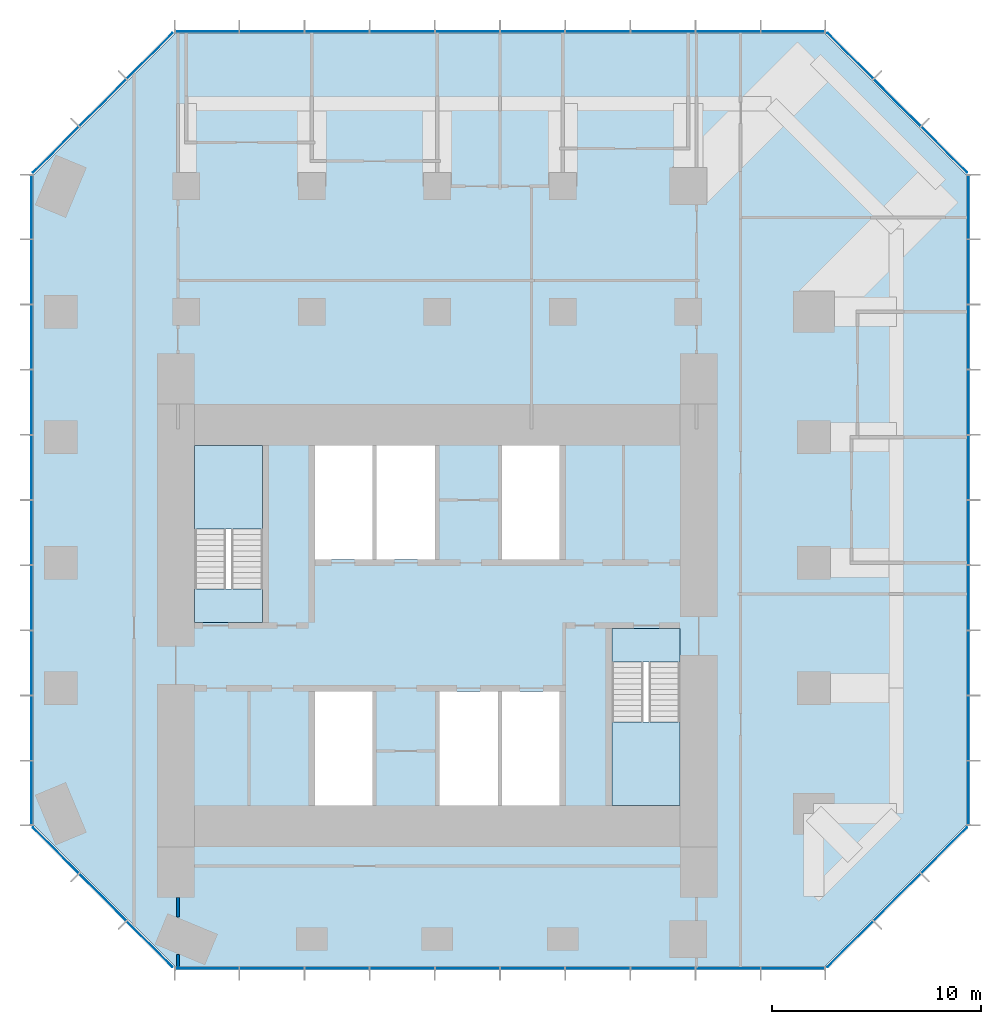
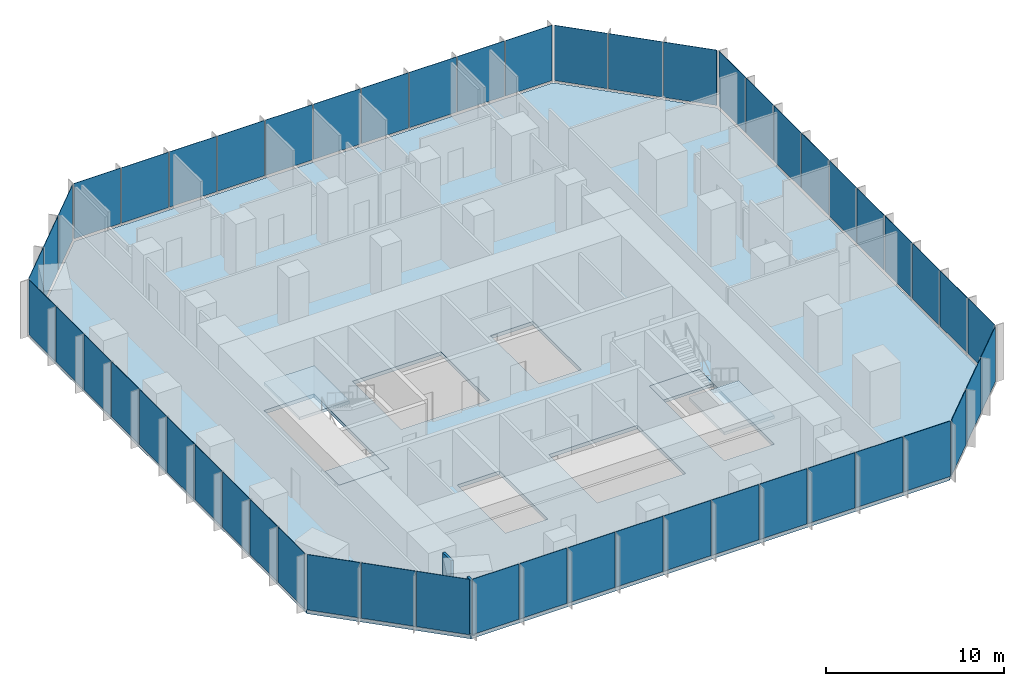
# One storey, part 7 of 11: 52 plates, 5 slabs, 2 walls, 10 elements without a shape of their own.
"""IFC4 building model written with IfcOpenShell, lengths in metres."""

from ifc_helpers import new_model, si_unit, direction, frame, frame_2d, origin, origin_2d, place, context, subcontext, project, spatial, polyline, rectangle, outline, extrude, material, layer, layer_set, type_object, element, aggregate, save


model = new_model("IFC4")

# Units and contexts
model_context = context("Model", 3, precision=1e-05, world=origin(), true_north=direction((0.0, 1.0)))
body_context = subcontext(model_context, "Body", "Model", "MODEL_VIEW")
ifc_project = project(units=[si_unit("LENGTHUNIT", "METRE"), si_unit("AREAUNIT", "SQUARE_METRE"), si_unit("VOLUMEUNIT", "CUBIC_METRE"), si_unit("PLANEANGLEUNIT", "RADIAN"), si_unit("MASSUNIT", "GRAM", prefix="KILO")], contexts=[model_context])

# Site, building, storey
site_placement = place(None, origin())
site = spatial("IfcSite", under=ifc_project, at=site_placement, CompositionType="ELEMENT")
building_placement = place(site_placement, origin())
building = spatial("IfcBuilding", under=site, at=building_placement, Name="Highveld Stack Headquarters", CompositionType="ELEMENT")
storey_placement = place(building_placement, frame((0.0, 0.0, 181.10009765625)))
storey = spatial("IfcBuildingStorey", under=building, at=storey_placement, Name="L44", CompositionType="ELEMENT", Elevation=181.10009765625)

# Curtain wall, plates
ifc_material_1 = material(Name="Aluminium bronze anodised", Category="aluminium")
ifc_layer_1 = layer(ifc_material_1, 0.199951171875)
ifc_layer_set_1 = layer_set([ifc_layer_1], Name="Aluminium bronze anodised")
curtain_wall_type_1 = type_object("IfcCurtainWallType", Name="CW1 TOWER UNITISED CURTAIN WALL", PredefinedType="NOTDEFINED", material=ifc_layer_set_1)
curtain_wall_1_placement = place(storey_placement, origin())
curtain_wall_1 = element("IfcCurtainWall", 1, at=curtain_wall_1_placement, inside=storey, type_object=curtain_wall_type_1, Name="Curtain wall CW1 L44 S", PredefinedType="NOTDEFINED")
ifc_material_2 = material(Name="Glass bronze tinted double glazed unit", Category="glass")
ifc_layer_2 = layer(ifc_material_2, 0.028076171875)
ifc_layer_set_2 = layer_set([ifc_layer_2], Name="Glass bronze tinted double glazed unit")
plate_type_1 = type_object("IfcPlateType", Name="CW1 PANEL BRONZE TINTED DOUBLE GLAZED UNIT", PredefinedType="CURTAIN_PANEL", material=ifc_layer_set_2)
plate_1_placement = place(storey_placement, frame((-5.005615234375, -13.39990234375, 0.10009765625), z_axis=(0.0, 0.0, 1.0), x_axis=(1.0, 0.0, 0.0)))
plate_1 = element("IfcPlate", 2, at=plate_1_placement, type_object=plate_type_1, Name="CW1 panel L44 1.1", PredefinedType="CURTAIN_PANEL", context=body_context, shape_type="SweptSolid", body=[
    extrude(rectangle(XDim=3.0185546875, YDim=0.028076171875, at=origin_2d()), origin(), (0.0, 0.0, 1.0), 3.800048828125),
])
plate_2_placement = place(storey_placement, frame((-1.906005859375, -13.39990234375, 0.10009765625), z_axis=(0.0, 0.0, 1.0), x_axis=(1.0, 0.0, 0.0)))
plate_2 = element("IfcPlate", 3, at=plate_2_placement, type_object=plate_type_1, Name="CW1 panel L44 2.1", PredefinedType="CURTAIN_PANEL", context=body_context, shape_type="SweptSolid", body=[
    extrude(rectangle(XDim=3.051025390625, YDim=0.028076171875, at=origin_2d()), origin(), (0.0, 0.0, 1.0), 3.800048828125),
])
plate_3_placement = place(storey_placement, frame((1.2099609375, -13.39990234375, 0.10009765625), z_axis=(0.0, 0.0, 1.0), x_axis=(1.0, 0.0, 0.0)))
plate_3 = element("IfcPlate", 4, at=plate_3_placement, type_object=plate_type_1, Name="CW1 panel L44 3.1", PredefinedType="CURTAIN_PANEL", context=body_context, shape_type="SweptSolid", body=[
    extrude(rectangle(XDim=3.051025390625, YDim=0.028076171875, at=origin_2d()), origin(), (0.0, 0.0, 1.0), 3.800048828125),
])
plate_4_placement = place(storey_placement, frame((4.325927734375, -13.39990234375, 0.10009765625), z_axis=(0.0, 0.0, 1.0), x_axis=(1.0, 0.0, 0.0)))
plate_4 = element("IfcPlate", 5, at=plate_4_placement, type_object=plate_type_1, Name="CW1 panel L44 4.1", PredefinedType="CURTAIN_PANEL", context=body_context, shape_type="SweptSolid", body=[
    extrude(rectangle(XDim=3.051025390625, YDim=0.028076171875, at=origin_2d()), origin(), (0.0, 0.0, 1.0), 3.800048828125),
])
plate_5_placement = place(storey_placement, frame((7.44189453125, -13.39990234375, 0.10009765625), z_axis=(0.0, 0.0, 1.0), x_axis=(1.0, 0.0, 0.0)))
plate_5 = element("IfcPlate", 6, at=plate_5_placement, type_object=plate_type_1, Name="CW1 panel L44 5.1", PredefinedType="CURTAIN_PANEL", context=body_context, shape_type="SweptSolid", body=[
    extrude(rectangle(XDim=3.051025390625, YDim=0.028076171875, at=origin_2d()), origin(), (0.0, 0.0, 1.0), 3.800048828125),
])
plate_6_placement = place(storey_placement, frame((10.55810546875, -13.39990234375, 0.10009765625), z_axis=(0.0, 0.0, 1.0), x_axis=(1.0, 0.0, 0.0)))
plate_6 = element("IfcPlate", 7, at=plate_6_placement, type_object=plate_type_1, Name="CW1 panel L44 6.1", PredefinedType="CURTAIN_PANEL", context=body_context, shape_type="SweptSolid", body=[
    extrude(rectangle(XDim=3.051025390625, YDim=0.028076171875, at=origin_2d()), origin(), (0.0, 0.0, 1.0), 3.800048828125),
])
plate_7_placement = place(storey_placement, frame((13.674072265625, -13.39990234375, 0.10009765625), z_axis=(0.0, 0.0, 1.0), x_axis=(1.0, 0.0, 0.0)))
plate_7 = element("IfcPlate", 8, at=plate_7_placement, type_object=plate_type_1, Name="CW1 panel L44 7.1", PredefinedType="CURTAIN_PANEL", context=body_context, shape_type="SweptSolid", body=[
    extrude(rectangle(XDim=3.051025390625, YDim=0.028076171875, at=origin_2d()), origin(), (0.0, 0.0, 1.0), 3.800048828125),
])
plate_8_placement = place(storey_placement, frame((16.789794921875, -13.39990234375, 0.10009765625), z_axis=(0.0, 0.0, 1.0), x_axis=(1.0, 0.0, 0.0)))
plate_8 = element("IfcPlate", 9, at=plate_8_placement, type_object=plate_type_1, Name="CW1 panel L44 8.1", PredefinedType="CURTAIN_PANEL", context=body_context, shape_type="SweptSolid", body=[
    extrude(rectangle(XDim=3.051025390625, YDim=0.028076171875, at=origin_2d()), origin(), (0.0, 0.0, 1.0), 3.800048828125),
])
plate_9_placement = place(storey_placement, frame((19.906005859375, -13.39990234375, 0.10009765625), z_axis=(0.0, 0.0, 1.0), x_axis=(1.0, 0.0, 0.0)))
plate_9 = element("IfcPlate", 10, at=plate_9_placement, type_object=plate_type_1, Name="CW1 panel L44 9.1", PredefinedType="CURTAIN_PANEL", context=body_context, shape_type="SweptSolid", body=[
    extrude(rectangle(XDim=3.051025390625, YDim=0.028076171875, at=origin_2d()), origin(), (0.0, 0.0, 1.0), 3.800048828125),
])
plate_10_placement = place(storey_placement, frame((23.005615234375, -13.39990234375, 0.10009765625), z_axis=(0.0, 0.0, 1.0), x_axis=(1.0, 0.0, 0.0)))
plate_10 = element("IfcPlate", 11, at=plate_10_placement, type_object=plate_type_1, Name="CW1 panel L44 10.1", PredefinedType="CURTAIN_PANEL", context=body_context, shape_type="SweptSolid", body=[
    extrude(rectangle(XDim=3.0185546875, YDim=0.028076171875, at=origin_2d()), origin(), (0.0, 0.0, 1.0), 3.800048828125),
])
aggregate(curtain_wall_1, [plate_1, plate_2, plate_3, plate_4, plate_5, plate_6, plate_7, plate_8, plate_9, plate_10])

curtain_wall_2_placement = place(storey_placement, origin())
curtain_wall_2 = element("IfcCurtainWall", 12, at=curtain_wall_2_placement, inside=storey, type_object=curtain_wall_type_1, Name="Curtain wall CW1 L44 E", PredefinedType="NOTDEFINED")
plate_11_placement = place(storey_placement, frame((31.39990234375, -5.005615234375, 0.10009765625), z_axis=(0.0, 0.0, 1.0), x_axis=(0.0, 1.0, 0.0)))
plate_11 = element("IfcPlate", 13, at=plate_11_placement, type_object=plate_type_1, Name="CW1 panel L44 1.1", PredefinedType="CURTAIN_PANEL", context=body_context, shape_type="SweptSolid", body=[
    extrude(rectangle(XDim=3.0185546875, YDim=0.028076171875, at=origin_2d()), origin(), (0.0, 0.0, 1.0), 3.800048828125),
])
plate_12_placement = place(storey_placement, frame((31.39990234375, -1.906005859375, 0.10009765625), z_axis=(0.0, 0.0, 1.0), x_axis=(0.0, 1.0, 0.0)))
plate_12 = element("IfcPlate", 14, at=plate_12_placement, type_object=plate_type_1, Name="CW1 panel L44 2.1", PredefinedType="CURTAIN_PANEL", context=body_context, shape_type="SweptSolid", body=[
    extrude(rectangle(XDim=3.051025390625, YDim=0.028076171875, at=origin_2d()), origin(), (0.0, 0.0, 1.0), 3.800048828125),
])
plate_13_placement = place(storey_placement, frame((31.39990234375, 1.2099609375, 0.10009765625), z_axis=(0.0, 0.0, 1.0), x_axis=(0.0, 1.0, 0.0)))
plate_13 = element("IfcPlate", 15, at=plate_13_placement, type_object=plate_type_1, Name="CW1 panel L44 3.1", PredefinedType="CURTAIN_PANEL", context=body_context, shape_type="SweptSolid", body=[
    extrude(rectangle(XDim=3.051025390625, YDim=0.028076171875, at=origin_2d()), origin(), (0.0, 0.0, 1.0), 3.800048828125),
])
plate_14_placement = place(storey_placement, frame((31.39990234375, 4.325927734375, 0.10009765625), z_axis=(0.0, 0.0, 1.0), x_axis=(0.0, 1.0, 0.0)))
plate_14 = element("IfcPlate", 16, at=plate_14_placement, type_object=plate_type_1, Name="CW1 panel L44 4.1", PredefinedType="CURTAIN_PANEL", context=body_context, shape_type="SweptSolid", body=[
    extrude(rectangle(XDim=3.051025390625, YDim=0.028076171875, at=origin_2d()), origin(), (0.0, 0.0, 1.0), 3.800048828125),
])
plate_15_placement = place(storey_placement, frame((31.39990234375, 7.44189453125, 0.10009765625), z_axis=(0.0, 0.0, 1.0), x_axis=(0.0, 1.0, 0.0)))
plate_15 = element("IfcPlate", 17, at=plate_15_placement, type_object=plate_type_1, Name="CW1 panel L44 5.1", PredefinedType="CURTAIN_PANEL", context=body_context, shape_type="SweptSolid", body=[
    extrude(rectangle(XDim=3.051025390625, YDim=0.028076171875, at=origin_2d()), origin(), (0.0, 0.0, 1.0), 3.800048828125),
])
plate_16_placement = place(storey_placement, frame((31.39990234375, 10.55810546875, 0.10009765625), z_axis=(0.0, 0.0, 1.0), x_axis=(0.0, 1.0, 0.0)))
plate_16 = element("IfcPlate", 18, at=plate_16_placement, type_object=plate_type_1, Name="CW1 panel L44 6.1", PredefinedType="CURTAIN_PANEL", context=body_context, shape_type="SweptSolid", body=[
    extrude(rectangle(XDim=3.051025390625, YDim=0.028076171875, at=origin_2d()), origin(), (0.0, 0.0, 1.0), 3.800048828125),
])
plate_17_placement = place(storey_placement, frame((31.39990234375, 13.674072265625, 0.10009765625), z_axis=(0.0, 0.0, 1.0), x_axis=(0.0, 1.0, 0.0)))
plate_17 = element("IfcPlate", 19, at=plate_17_placement, type_object=plate_type_1, Name="CW1 panel L44 7.1", PredefinedType="CURTAIN_PANEL", context=body_context, shape_type="SweptSolid", body=[
    extrude(rectangle(XDim=3.051025390625, YDim=0.028076171875, at=origin_2d()), origin(), (0.0, 0.0, 1.0), 3.800048828125),
])
plate_18_placement = place(storey_placement, frame((31.39990234375, 16.789794921875, 0.10009765625), z_axis=(0.0, 0.0, 1.0), x_axis=(0.0, 1.0, 0.0)))
plate_18 = element("IfcPlate", 20, at=plate_18_placement, type_object=plate_type_1, Name="CW1 panel L44 8.1", PredefinedType="CURTAIN_PANEL", context=body_context, shape_type="SweptSolid", body=[
    extrude(rectangle(XDim=3.051025390625, YDim=0.028076171875, at=origin_2d()), origin(), (0.0, 0.0, 1.0), 3.800048828125),
])
plate_19_placement = place(storey_placement, frame((31.39990234375, 19.906005859375, 0.10009765625), z_axis=(0.0, 0.0, 1.0), x_axis=(0.0, 1.0, 0.0)))
plate_19 = element("IfcPlate", 21, at=plate_19_placement, type_object=plate_type_1, Name="CW1 panel L44 9.1", PredefinedType="CURTAIN_PANEL", context=body_context, shape_type="SweptSolid", body=[
    extrude(rectangle(XDim=3.051025390625, YDim=0.028076171875, at=origin_2d()), origin(), (0.0, 0.0, 1.0), 3.800048828125),
])
plate_20_placement = place(storey_placement, frame((31.39990234375, 23.005615234375, 0.10009765625), z_axis=(0.0, 0.0, 1.0), x_axis=(0.0, 1.0, 0.0)))
plate_20 = element("IfcPlate", 22, at=plate_20_placement, type_object=plate_type_1, Name="CW1 panel L44 10.1", PredefinedType="CURTAIN_PANEL", context=body_context, shape_type="SweptSolid", body=[
    extrude(rectangle(XDim=3.0185546875, YDim=0.028076171875, at=origin_2d()), origin(), (0.0, 0.0, 1.0), 3.800048828125),
])
aggregate(curtain_wall_2, [plate_11, plate_12, plate_13, plate_14, plate_15, plate_16, plate_17, plate_18, plate_19, plate_20])

curtain_wall_3_placement = place(storey_placement, origin())
curtain_wall_3 = element("IfcCurtainWall", 23, at=curtain_wall_3_placement, inside=storey, type_object=curtain_wall_type_1, Name="Curtain wall CW1 L44 N", PredefinedType="NOTDEFINED")
plate_21_placement = place(storey_placement, frame((23.005615234375, 31.39990234375, 0.10009765625), z_axis=(0.0, 0.0, 1.0), x_axis=(-1.0, 0.0, 0.0)))
plate_21 = element("IfcPlate", 24, at=plate_21_placement, type_object=plate_type_1, Name="CW1 panel L44 1.1", PredefinedType="CURTAIN_PANEL", context=body_context, shape_type="SweptSolid", body=[
    extrude(rectangle(XDim=3.0185546875, YDim=0.028076171875, at=origin_2d()), origin(), (0.0, 0.0, 1.0), 3.800048828125),
])
plate_22_placement = place(storey_placement, frame((19.906005859375, 31.39990234375, 0.10009765625), z_axis=(0.0, 0.0, 1.0), x_axis=(-1.0, 0.0, 0.0)))
plate_22 = element("IfcPlate", 25, at=plate_22_placement, type_object=plate_type_1, Name="CW1 panel L44 2.1", PredefinedType="CURTAIN_PANEL", context=body_context, shape_type="SweptSolid", body=[
    extrude(rectangle(XDim=3.051025390625, YDim=0.028076171875, at=origin_2d()), origin(), (0.0, 0.0, 1.0), 3.800048828125),
])
plate_23_placement = place(storey_placement, frame((16.7900390625, 31.39990234375, 0.10009765625), z_axis=(0.0, 0.0, 1.0), x_axis=(-1.0, 0.0, 0.0)))
plate_23 = element("IfcPlate", 26, at=plate_23_placement, type_object=plate_type_1, Name="CW1 panel L44 3.1", PredefinedType="CURTAIN_PANEL", context=body_context, shape_type="SweptSolid", body=[
    extrude(rectangle(XDim=3.051025390625, YDim=0.028076171875, at=origin_2d()), origin(), (0.0, 0.0, 1.0), 3.800048828125),
])
plate_24_placement = place(storey_placement, frame((13.674072265625, 31.39990234375, 0.10009765625), z_axis=(0.0, 0.0, 1.0), x_axis=(-1.0, 0.0, 0.0)))
plate_24 = element("IfcPlate", 27, at=plate_24_placement, type_object=plate_type_1, Name="CW1 panel L44 4.1", PredefinedType="CURTAIN_PANEL", context=body_context, shape_type="SweptSolid", body=[
    extrude(rectangle(XDim=3.051025390625, YDim=0.028076171875, at=origin_2d()), origin(), (0.0, 0.0, 1.0), 3.800048828125),
])
plate_25_placement = place(storey_placement, frame((10.55810546875, 31.39990234375, 0.10009765625), z_axis=(0.0, 0.0, 1.0), x_axis=(-1.0, 0.0, 0.0)))
plate_25 = element("IfcPlate", 28, at=plate_25_placement, type_object=plate_type_1, Name="CW1 panel L44 5.1", PredefinedType="CURTAIN_PANEL", context=body_context, shape_type="SweptSolid", body=[
    extrude(rectangle(XDim=3.051025390625, YDim=0.028076171875, at=origin_2d()), origin(), (0.0, 0.0, 1.0), 3.800048828125),
])
plate_26_placement = place(storey_placement, frame((7.44189453125, 31.39990234375, 0.10009765625), z_axis=(0.0, 0.0, 1.0), x_axis=(-1.0, 0.0, 0.0)))
plate_26 = element("IfcPlate", 29, at=plate_26_placement, type_object=plate_type_1, Name="CW1 panel L44 6.1", PredefinedType="CURTAIN_PANEL", context=body_context, shape_type="SweptSolid", body=[
    extrude(rectangle(XDim=3.051025390625, YDim=0.028076171875, at=origin_2d()), origin(), (0.0, 0.0, 1.0), 3.800048828125),
])
plate_27_placement = place(storey_placement, frame((4.325927734375, 31.39990234375, 0.10009765625), z_axis=(0.0, 0.0, 1.0), x_axis=(-1.0, 0.0, 0.0)))
plate_27 = element("IfcPlate", 30, at=plate_27_placement, type_object=plate_type_1, Name="CW1 panel L44 7.1", PredefinedType="CURTAIN_PANEL", context=body_context, shape_type="SweptSolid", body=[
    extrude(rectangle(XDim=3.051025390625, YDim=0.028076171875, at=origin_2d()), origin(), (0.0, 0.0, 1.0), 3.800048828125),
])
plate_28_placement = place(storey_placement, frame((1.210205078125, 31.39990234375, 0.10009765625), z_axis=(0.0, 0.0, 1.0), x_axis=(-1.0, 0.0, 0.0)))
plate_28 = element("IfcPlate", 31, at=plate_28_placement, type_object=plate_type_1, Name="CW1 panel L44 8.1", PredefinedType="CURTAIN_PANEL", context=body_context, shape_type="SweptSolid", body=[
    extrude(rectangle(XDim=3.051025390625, YDim=0.028076171875, at=origin_2d()), origin(), (0.0, 0.0, 1.0), 3.800048828125),
])
plate_29_placement = place(storey_placement, frame((-1.906005859375, 31.39990234375, 0.10009765625), z_axis=(0.0, 0.0, 1.0), x_axis=(-1.0, 0.0, 0.0)))
plate_29 = element("IfcPlate", 32, at=plate_29_placement, type_object=plate_type_1, Name="CW1 panel L44 9.1", PredefinedType="CURTAIN_PANEL", context=body_context, shape_type="SweptSolid", body=[
    extrude(rectangle(XDim=3.051025390625, YDim=0.028076171875, at=origin_2d()), origin(), (0.0, 0.0, 1.0), 3.800048828125),
])
plate_30_placement = place(storey_placement, frame((-5.005615234375, 31.39990234375, 0.10009765625), z_axis=(0.0, 0.0, 1.0), x_axis=(-1.0, 0.0, 0.0)))
plate_30 = element("IfcPlate", 33, at=plate_30_placement, type_object=plate_type_1, Name="CW1 panel L44 10.1", PredefinedType="CURTAIN_PANEL", context=body_context, shape_type="SweptSolid", body=[
    extrude(rectangle(XDim=3.0185546875, YDim=0.028076171875, at=origin_2d()), origin(), (0.0, 0.0, 1.0), 3.800048828125),
])
aggregate(curtain_wall_3, [plate_21, plate_22, plate_23, plate_24, plate_25, plate_26, plate_27, plate_28, plate_29, plate_30])

curtain_wall_4_placement = place(storey_placement, origin())
curtain_wall_4 = element("IfcCurtainWall", 34, at=curtain_wall_4_placement, inside=storey, type_object=curtain_wall_type_1, Name="Curtain wall CW1 L44 W", PredefinedType="NOTDEFINED")
plate_31_placement = place(storey_placement, frame((-13.39990234375, 23.005615234375, 0.10009765625), z_axis=(0.0, 0.0, 1.0), x_axis=(0.0, -1.0, 0.0)))
plate_31 = element("IfcPlate", 35, at=plate_31_placement, type_object=plate_type_1, Name="CW1 panel L44 1.1", PredefinedType="CURTAIN_PANEL", context=body_context, shape_type="SweptSolid", body=[
    extrude(rectangle(XDim=3.0185546875, YDim=0.028076171875, at=origin_2d()), origin(), (0.0, 0.0, 1.0), 3.800048828125),
])
plate_32_placement = place(storey_placement, frame((-13.39990234375, 19.906005859375, 0.10009765625), z_axis=(0.0, 0.0, 1.0), x_axis=(0.0, -1.0, 0.0)))
plate_32 = element("IfcPlate", 36, at=plate_32_placement, type_object=plate_type_1, Name="CW1 panel L44 2.1", PredefinedType="CURTAIN_PANEL", context=body_context, shape_type="SweptSolid", body=[
    extrude(rectangle(XDim=3.051025390625, YDim=0.028076171875, at=origin_2d()), origin(), (0.0, 0.0, 1.0), 3.800048828125),
])
plate_33_placement = place(storey_placement, frame((-13.39990234375, 16.7900390625, 0.10009765625), z_axis=(0.0, 0.0, 1.0), x_axis=(0.0, -1.0, 0.0)))
plate_33 = element("IfcPlate", 37, at=plate_33_placement, type_object=plate_type_1, Name="CW1 panel L44 3.1", PredefinedType="CURTAIN_PANEL", context=body_context, shape_type="SweptSolid", body=[
    extrude(rectangle(XDim=3.051025390625, YDim=0.028076171875, at=origin_2d()), origin(), (0.0, 0.0, 1.0), 3.800048828125),
])
plate_34_placement = place(storey_placement, frame((-13.39990234375, 13.674072265625, 0.10009765625), z_axis=(0.0, 0.0, 1.0), x_axis=(0.0, -1.0, 0.0)))
plate_34 = element("IfcPlate", 38, at=plate_34_placement, type_object=plate_type_1, Name="CW1 panel L44 4.1", PredefinedType="CURTAIN_PANEL", context=body_context, shape_type="SweptSolid", body=[
    extrude(rectangle(XDim=3.051025390625, YDim=0.028076171875, at=origin_2d()), origin(), (0.0, 0.0, 1.0), 3.800048828125),
])
plate_35_placement = place(storey_placement, frame((-13.39990234375, 10.55810546875, 0.10009765625), z_axis=(0.0, 0.0, 1.0), x_axis=(0.0, -1.0, 0.0)))
plate_35 = element("IfcPlate", 39, at=plate_35_placement, type_object=plate_type_1, Name="CW1 panel L44 5.1", PredefinedType="CURTAIN_PANEL", context=body_context, shape_type="SweptSolid", body=[
    extrude(rectangle(XDim=3.051025390625, YDim=0.028076171875, at=origin_2d()), origin(), (0.0, 0.0, 1.0), 3.800048828125),
])
plate_36_placement = place(storey_placement, frame((-13.39990234375, 7.44189453125, 0.10009765625), z_axis=(0.0, 0.0, 1.0), x_axis=(0.0, -1.0, 0.0)))
plate_36 = element("IfcPlate", 40, at=plate_36_placement, type_object=plate_type_1, Name="CW1 panel L44 6.1", PredefinedType="CURTAIN_PANEL", context=body_context, shape_type="SweptSolid", body=[
    extrude(rectangle(XDim=3.051025390625, YDim=0.028076171875, at=origin_2d()), origin(), (0.0, 0.0, 1.0), 3.800048828125),
])
plate_37_placement = place(storey_placement, frame((-13.39990234375, 4.325927734375, 0.10009765625), z_axis=(0.0, 0.0, 1.0), x_axis=(0.0, -1.0, 0.0)))
plate_37 = element("IfcPlate", 41, at=plate_37_placement, type_object=plate_type_1, Name="CW1 panel L44 7.1", PredefinedType="CURTAIN_PANEL", context=body_context, shape_type="SweptSolid", body=[
    extrude(rectangle(XDim=3.051025390625, YDim=0.028076171875, at=origin_2d()), origin(), (0.0, 0.0, 1.0), 3.800048828125),
])
plate_38_placement = place(storey_placement, frame((-13.39990234375, 1.210205078125, 0.10009765625), z_axis=(0.0, 0.0, 1.0), x_axis=(0.0, -1.0, 0.0)))
plate_38 = element("IfcPlate", 42, at=plate_38_placement, type_object=plate_type_1, Name="CW1 panel L44 8.1", PredefinedType="CURTAIN_PANEL", context=body_context, shape_type="SweptSolid", body=[
    extrude(rectangle(XDim=3.051025390625, YDim=0.028076171875, at=origin_2d()), origin(), (0.0, 0.0, 1.0), 3.800048828125),
])
plate_39_placement = place(storey_placement, frame((-13.39990234375, -1.906005859375, 0.10009765625), z_axis=(0.0, 0.0, 1.0), x_axis=(0.0, -1.0, 0.0)))
plate_39 = element("IfcPlate", 43, at=plate_39_placement, type_object=plate_type_1, Name="CW1 panel L44 9.1", PredefinedType="CURTAIN_PANEL", context=body_context, shape_type="SweptSolid", body=[
    extrude(rectangle(XDim=3.051025390625, YDim=0.028076171875, at=origin_2d()), origin(), (0.0, 0.0, 1.0), 3.800048828125),
])
plate_40_placement = place(storey_placement, frame((-13.39990234375, -5.005615234375, 0.10009765625), z_axis=(0.0, 0.0, 1.0), x_axis=(0.0, -1.0, 0.0)))
plate_40 = element("IfcPlate", 44, at=plate_40_placement, type_object=plate_type_1, Name="CW1 panel L44 10.1", PredefinedType="CURTAIN_PANEL", context=body_context, shape_type="SweptSolid", body=[
    extrude(rectangle(XDim=3.0185546875, YDim=0.028076171875, at=origin_2d()), origin(), (0.0, 0.0, 1.0), 3.800048828125),
])
aggregate(curtain_wall_4, [plate_31, plate_32, plate_33, plate_34, plate_35, plate_36, plate_37, plate_38, plate_39, plate_40])

ifc_material_3 = material(Name="Aluminium bronze anodised", Category="aluminium")
ifc_layer_3 = layer(ifc_material_3, 0.199951171875)
ifc_layer_set_3 = layer_set([ifc_layer_3], Name="Aluminium bronze anodised")
curtain_wall_type_2 = type_object("IfcCurtainWallType", Name="CW2 TOWER CHAMFER UNITISED CURTAIN WALL", PredefinedType="NOTDEFINED", material=ifc_layer_set_3)
curtain_wall_5_placement = place(storey_placement, origin())
curtain_wall_5 = element("IfcCurtainWall", 45, at=curtain_wall_5_placement, inside=storey, type_object=curtain_wall_type_2, Name="Curtain wall CW2 L44 SE", PredefinedType="NOTDEFINED")
ifc_material_4 = material(Name="Glass bronze tinted double glazed unit", Category="glass")
ifc_layer_4 = layer(ifc_material_4, 0.028076171875)
ifc_layer_set_4 = layer_set([ifc_layer_4], Name="Glass bronze tinted double glazed unit")
plate_type_2 = type_object("IfcPlateType", Name="CW2 PANEL BRONZE TINTED DOUBLE GLAZED UNIT", PredefinedType="CURTAIN_PANEL", material=ifc_layer_set_4)
plate_41_placement = place(storey_placement, frame((25.740478515625, -12.239501953125, 0.10009765625), z_axis=(0.0, 0.0, 1.0), x_axis=(0.707106781187, 0.707106781187, 0.0)))
plate_41 = element("IfcPlate", 46, at=plate_41_placement, type_object=plate_type_2, Name="CW2 panel L44 1.1", PredefinedType="CURTAIN_PANEL", context=body_context, shape_type="SweptSolid", body=[
    extrude(rectangle(XDim=3.08251953125, YDim=0.028076171875, at=origin_2d()), origin(), (0.0, 0.0, 1.0), 3.800048828125),
])
plate_42_placement = place(storey_placement, frame((27.989990234375, -9.989990234375, 0.10009765625), z_axis=(0.0, 0.0, 1.0), x_axis=(0.707106781187, 0.707106781187, 0.0)))
plate_42 = element("IfcPlate", 47, at=plate_42_placement, type_object=plate_type_2, Name="CW2 panel L44 2.1", PredefinedType="CURTAIN_PANEL", context=body_context, shape_type="SweptSolid", body=[
    extrude(rectangle(XDim=3.14990234375, YDim=0.028076171875, at=origin_2d()), origin(), (0.0, 0.0, 1.0), 3.800048828125),
])
plate_43_placement = place(storey_placement, frame((30.239501953125, -7.740478515625, 0.10009765625), z_axis=(0.0, 0.0, 1.0), x_axis=(0.707106781187, 0.707106781187, 0.0)))
plate_43 = element("IfcPlate", 48, at=plate_43_placement, type_object=plate_type_2, Name="CW2 panel L44 3.1", PredefinedType="CURTAIN_PANEL", context=body_context, shape_type="SweptSolid", body=[
    extrude(rectangle(XDim=3.08251953125, YDim=0.028076171875, at=origin_2d()), origin(), (0.0, 0.0, 1.0), 3.800048828125),
])
aggregate(curtain_wall_5, [plate_41, plate_42, plate_43])

curtain_wall_6_placement = place(storey_placement, origin())
curtain_wall_6 = element("IfcCurtainWall", 49, at=curtain_wall_6_placement, inside=storey, type_object=curtain_wall_type_2, Name="Curtain wall CW2 L44 NE", PredefinedType="NOTDEFINED")
plate_44_placement = place(storey_placement, frame((30.239501953125, 25.740478515625, 0.10009765625), z_axis=(0.0, 0.0, 1.0), x_axis=(-0.707106781187, 0.707106781187, 0.0)))
plate_44 = element("IfcPlate", 50, at=plate_44_placement, type_object=plate_type_2, Name="CW2 panel L44 1.1", PredefinedType="CURTAIN_PANEL", context=body_context, shape_type="SweptSolid", body=[
    extrude(rectangle(XDim=3.08251953125, YDim=0.028076171875, at=origin_2d()), origin(), (0.0, 0.0, 1.0), 3.800048828125),
])
plate_45_placement = place(storey_placement, frame((27.989990234375, 27.989990234375, 0.10009765625), z_axis=(0.0, 0.0, 1.0), x_axis=(-0.707106781187, 0.707106781187, 0.0)))
plate_45 = element("IfcPlate", 51, at=plate_45_placement, type_object=plate_type_2, Name="CW2 panel L44 2.1", PredefinedType="CURTAIN_PANEL", context=body_context, shape_type="SweptSolid", body=[
    extrude(rectangle(XDim=3.14990234375, YDim=0.028076171875, at=origin_2d()), origin(), (0.0, 0.0, 1.0), 3.800048828125),
])
plate_46_placement = place(storey_placement, frame((25.740478515625, 30.239501953125, 0.10009765625), z_axis=(0.0, 0.0, 1.0), x_axis=(-0.707106781187, 0.707106781187, 0.0)))
plate_46 = element("IfcPlate", 52, at=plate_46_placement, type_object=plate_type_2, Name="CW2 panel L44 3.1", PredefinedType="CURTAIN_PANEL", context=body_context, shape_type="SweptSolid", body=[
    extrude(rectangle(XDim=3.08251953125, YDim=0.028076171875, at=origin_2d()), origin(), (0.0, 0.0, 1.0), 3.800048828125),
])
aggregate(curtain_wall_6, [plate_44, plate_45, plate_46])

curtain_wall_7_placement = place(storey_placement, origin())
curtain_wall_7 = element("IfcCurtainWall", 53, at=curtain_wall_7_placement, inside=storey, type_object=curtain_wall_type_2, Name="Curtain wall CW2 L44 NW", PredefinedType="NOTDEFINED")
plate_47_placement = place(storey_placement, frame((-7.740478515625, 30.239501953125, 0.10009765625), z_axis=(0.0, 0.0, 1.0), x_axis=(-0.707106781187, -0.707106781187, 0.0)))
plate_47 = element("IfcPlate", 54, at=plate_47_placement, type_object=plate_type_2, Name="CW2 panel L44 1.1", PredefinedType="CURTAIN_PANEL", context=body_context, shape_type="SweptSolid", body=[
    extrude(rectangle(XDim=3.08251953125, YDim=0.028076171875, at=origin_2d()), origin(), (0.0, 0.0, 1.0), 3.800048828125),
])
plate_48_placement = place(storey_placement, frame((-9.989990234375, 27.989990234375, 0.10009765625), z_axis=(0.0, 0.0, 1.0), x_axis=(-0.707106781187, -0.707106781187, 0.0)))
plate_48 = element("IfcPlate", 55, at=plate_48_placement, type_object=plate_type_2, Name="CW2 panel L44 2.1", PredefinedType="CURTAIN_PANEL", context=body_context, shape_type="SweptSolid", body=[
    extrude(rectangle(XDim=3.14990234375, YDim=0.028076171875, at=origin_2d()), origin(), (0.0, 0.0, 1.0), 3.800048828125),
])
plate_49_placement = place(storey_placement, frame((-12.239501953125, 25.740478515625, 0.10009765625), z_axis=(0.0, 0.0, 1.0), x_axis=(-0.707106781187, -0.707106781187, 0.0)))
plate_49 = element("IfcPlate", 56, at=plate_49_placement, type_object=plate_type_2, Name="CW2 panel L44 3.1", PredefinedType="CURTAIN_PANEL", context=body_context, shape_type="SweptSolid", body=[
    extrude(rectangle(XDim=3.08251953125, YDim=0.028076171875, at=origin_2d()), origin(), (0.0, 0.0, 1.0), 3.800048828125),
])
aggregate(curtain_wall_7, [plate_47, plate_48, plate_49])

curtain_wall_8_placement = place(storey_placement, origin())
curtain_wall_8 = element("IfcCurtainWall", 57, at=curtain_wall_8_placement, inside=storey, type_object=curtain_wall_type_2, Name="Curtain wall CW2 L44 SW", PredefinedType="NOTDEFINED")
plate_50_placement = place(storey_placement, frame((-12.239501953125, -7.740478515625, 0.10009765625), z_axis=(0.0, 0.0, 1.0), x_axis=(0.707106781187, -0.707106781187, 0.0)))
plate_50 = element("IfcPlate", 58, at=plate_50_placement, type_object=plate_type_2, Name="CW2 panel L44 1.1", PredefinedType="CURTAIN_PANEL", context=body_context, shape_type="SweptSolid", body=[
    extrude(rectangle(XDim=3.08251953125, YDim=0.028076171875, at=origin_2d()), origin(), (0.0, 0.0, 1.0), 3.800048828125),
])
plate_51_placement = place(storey_placement, frame((-9.989990234375, -9.989990234375, 0.10009765625), z_axis=(0.0, 0.0, 1.0), x_axis=(0.707106781187, -0.707106781187, 0.0)))
plate_51 = element("IfcPlate", 59, at=plate_51_placement, type_object=plate_type_2, Name="CW2 panel L44 2.1", PredefinedType="CURTAIN_PANEL", context=body_context, shape_type="SweptSolid", body=[
    extrude(rectangle(XDim=3.14990234375, YDim=0.028076171875, at=origin_2d()), origin(), (0.0, 0.0, 1.0), 3.800048828125),
])
plate_52_placement = place(storey_placement, frame((-7.740478515625, -12.239501953125, 0.10009765625), z_axis=(0.0, 0.0, 1.0), x_axis=(0.707106781187, -0.707106781187, 0.0)))
plate_52 = element("IfcPlate", 60, at=plate_52_placement, type_object=plate_type_2, Name="CW2 panel L44 3.1", PredefinedType="CURTAIN_PANEL", context=body_context, shape_type="SweptSolid", body=[
    extrude(rectangle(XDim=3.08251953125, YDim=0.028076171875, at=origin_2d()), origin(), (0.0, 0.0, 1.0), 3.800048828125),
])
aggregate(curtain_wall_8, [plate_50, plate_51, plate_52])

# Slab
ifc_material_5 = material(Name="Concrete C60/75", Category="concrete")
ifc_layer_5 = layer(ifc_material_5, 0.25)
ifc_layer_set_5 = layer_set([ifc_layer_5], Name="Concrete C60/75")
slab_type_1 = type_object("IfcSlabType", Name="PT FLAT SLAB 250", PredefinedType="FLOOR", material=ifc_layer_set_5)
slab_1_placement = place(storey_placement, frame((0.0, 0.0, -0.25)))
element("IfcSlab", 61, at=slab_1_placement, inside=storey, type_object=slab_type_1, Name="Floor slab L44", PredefinedType="FLOOR", context=body_context, shape_type="SweptSolid", body=[
    extrude(outline(polyline([(-6.53857421875, -13.300048828125), (24.53857421875, -13.300048828125), (31.300048828125, -6.53857421875), (31.300048828125, 24.53857421875), (24.53857421875, 31.300048828125), (-6.53857421875, 31.300048828125), (-13.300048828125, 24.53857421875), (-13.300048828125, -6.53857421875), (-6.53857421875, -13.300048828125)]), holes=[polyline([(0.14990234375, 6.14990234375), (5.89990234375, 6.14990234375), (5.89990234375, 11.60009765625), (0.14990234375, 11.60009765625), (0.14990234375, 6.14990234375)]), polyline([(9.10009765625, 6.14990234375), (11.85009765625, 6.14990234375), (11.85009765625, 11.60009765625), (9.10009765625, 11.60009765625), (9.10009765625, 6.14990234375)]), polyline([(6.10009765625, -5.60009765625), (11.85009765625, -5.60009765625), (11.85009765625, -0.14990234375), (6.10009765625, -0.14990234375), (6.10009765625, -5.60009765625)]), polyline([(0.14990234375, -5.60009765625), (2.89990234375, -5.60009765625), (2.89990234375, -0.14990234375), (0.14990234375, -0.14990234375), (0.14990234375, -5.60009765625)]), polyline([(-5.60009765625, 3.14990234375), (-2.35009765625, 3.14990234375), (-2.35009765625, 11.60009765625), (-5.60009765625, 11.60009765625), (-5.60009765625, 3.14990234375)]), polyline([(14.35009765625, -5.60009765625), (17.60009765625, -5.60009765625), (17.60009765625, 2.85009765625), (14.35009765625, 2.85009765625), (14.35009765625, -5.60009765625)])]), origin(), (0.0, 0.0, 1.0), 0.25),
])

# Stair, slabs
ifc_material_6 = material(Name="Concrete C40/50, precast", Category="concrete")
stair_type_1 = type_object("IfcStairType", Name="STAIR S1 HALF TURN 1500", PredefinedType="HALF_TURN_STAIR", material=ifc_material_6)
stair_1_placement = place(storey_placement, origin())
stair_1 = element("IfcStair", 62, at=stair_1_placement, inside=storey, type_object=stair_type_1, Name="Stair S1 L44", PredefinedType="HALF_TURN_STAIR")
ifc_material_7 = material(Name="Concrete C40/50, precast", Category="concrete")
ifc_layer_6 = layer(ifc_material_7, 0.199951171875)
ifc_layer_set_6 = layer_set([ifc_layer_6], Name="Concrete C40/50, precast")
slab_type_2 = type_object("IfcSlabType", Name="STAIR LANDING 200", PredefinedType="LANDING", material=ifc_layer_set_6)
slab_2_placement = place(storey_placement, frame((0.0, 0.0, 1.75)))
slab_2 = element("IfcSlab", 63, at=slab_2_placement, type_object=slab_type_2, Name="S1 landing 1", PredefinedType="LANDING", context=body_context, shape_type="SweptSolid", body=[
    extrude(outline(polyline([(-5.60009765625, 7.610107421875), (-2.35009765625, 7.610107421875), (-2.35009765625, 11.60009765625), (-5.60009765625, 11.60009765625), (-5.60009765625, 7.610107421875)])), origin(), (0.0, 0.0, 1.0), 0.199951171875),
])
slab_3_placement = place(storey_placement, frame((0.0, 0.0, -0.2001953125)))
slab_3 = element("IfcSlab", 64, at=slab_3_placement, type_object=slab_type_2, Name="S1 landing 2", PredefinedType="LANDING", context=body_context, shape_type="SweptSolid", body=[
    extrude(outline(polyline([(-5.60009765625, 3.14990234375), (-2.35009765625, 3.14990234375), (-2.35009765625, 4.75), (-5.60009765625, 4.75), (-5.60009765625, 3.14990234375)])), origin(), (0.0, 0.0, 1.0), 0.2001953125),
])
aggregate(stair_1, [slab_2, slab_3])

ifc_material_8 = material(Name="Concrete C40/50, precast", Category="concrete")
stair_type_2 = type_object("IfcStairType", Name="STAIR S2 HALF TURN 1500", PredefinedType="HALF_TURN_STAIR", material=ifc_material_8)
stair_2_placement = place(storey_placement, origin())
stair_2 = element("IfcStair", 65, at=stair_2_placement, inside=storey, type_object=stair_type_2, Name="Stair S2 L44", PredefinedType="HALF_TURN_STAIR")
slab_4_placement = place(storey_placement, frame((0.0, 0.0, 1.75)))
slab_4 = element("IfcSlab", 66, at=slab_4_placement, type_object=slab_type_2, Name="S2 landing 1", PredefinedType="LANDING", context=body_context, shape_type="SweptSolid", body=[
    extrude(outline(polyline([(14.35009765625, -5.60009765625), (17.60009765625, -5.60009765625), (17.60009765625, -1.610107421875), (14.35009765625, -1.610107421875), (14.35009765625, -5.60009765625)])), origin(), (0.0, 0.0, 1.0), 0.199951171875),
])
slab_5_placement = place(storey_placement, frame((0.0, 0.0, -0.2001953125)))
slab_5 = element("IfcSlab", 67, at=slab_5_placement, type_object=slab_type_2, Name="S2 landing 2", PredefinedType="LANDING", context=body_context, shape_type="SweptSolid", body=[
    extrude(outline(polyline([(14.35009765625, 1.25), (17.60009765625, 1.25), (17.60009765625, 2.85009765625), (14.35009765625, 2.85009765625), (14.35009765625, 1.25)])), origin(), (0.0, 0.0, 1.0), 0.2001953125),
])
aggregate(stair_2, [slab_4, slab_5])

# Walls
ifc_material_9 = material(Name="Gypsum plasterboard on steel studs", Category="steel")
ifc_layer_7 = layer(ifc_material_9, 0.14990234375)
ifc_layer_set_7 = layer_set([ifc_layer_7], Name="Gypsum plasterboard on steel studs")
wall_type = type_object("IfcWallType", Name="PARTITION 150 PLASTERBOARD", PredefinedType="PARTITIONING", material=ifc_layer_set_7)
wall_1_placement = place(storey_placement, frame((-6.39990234375, -13.39990234375, 0.0), z_axis=(0.0, 0.0, 1.0), x_axis=(0.0, 1.0, 0.0)))
element("IfcWall", 68, at=wall_1_placement, inside=storey, type_object=wall_type, Name="Partition office neighbourhood L44", PredefinedType="PARTITIONING", context=body_context, shape_type="SweptSolid", body=[
    extrude(rectangle(XDim=0.668701171875, YDim=0.14990234375, at=frame_2d((0.33447265625, 0.0))), origin(), (0.0, 0.0, 1.0), 3.64990234375),
])
wall_2_placement = place(storey_placement, frame((-6.39990234375, -10.937255859375, 0.0), z_axis=(0.0, 0.0, 1.0), x_axis=(0.0, 1.0, 0.0)))
element("IfcWall", 69, at=wall_2_placement, inside=storey, type_object=wall_type, Name="Partition office neighbourhood L44", PredefinedType="PARTITIONING", context=body_context, shape_type="SweptSolid", body=[
    extrude(rectangle(XDim=0.937255859375, YDim=0.14990234375, at=frame_2d((0.46875, 0.0))), origin(), (0.0, 0.0, 1.0), 3.64990234375),
])

save(model, "model.ifc")
